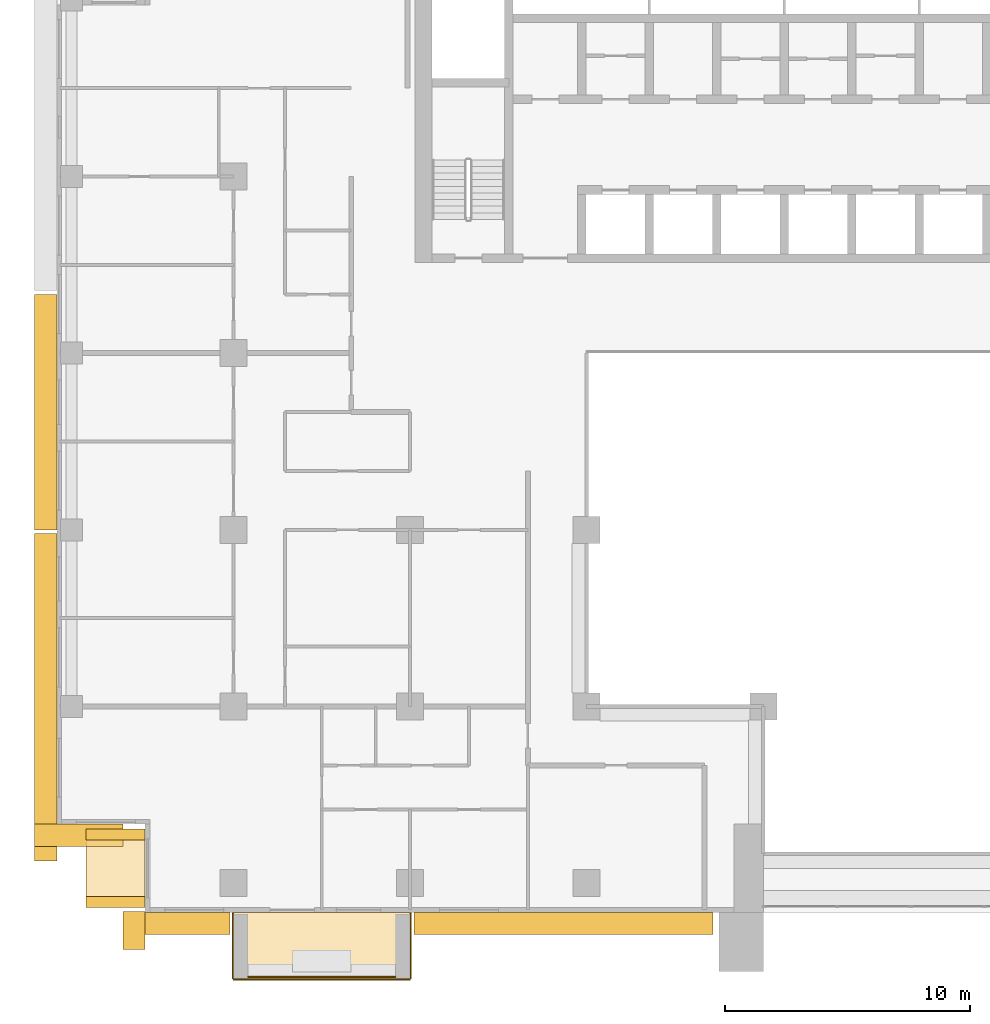
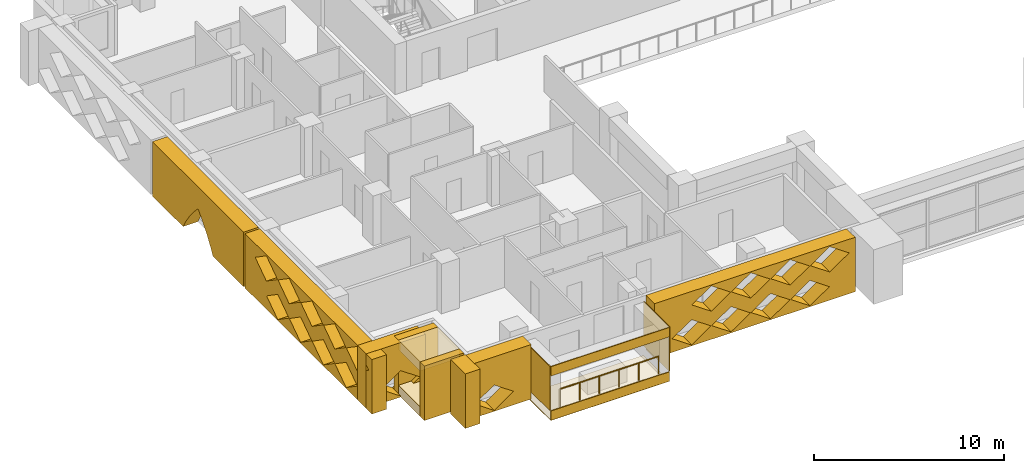
# One storey, part 13 of 19: 15 coverings, 1 railing.
"""IFC4 building model written with IfcOpenShell, lengths in metres."""

import ifcopenshell
import ifcopenshell.guid

model = None  # the IFC model being written
_history = None  # IfcOwnerHistory: only IFC2X3 demands one
_inside = {}  # id of a spatial element -> (the spatial element, [elements in it])
_under = {}  # id of a project, library or spatial element -> (it, [spatial elements below it])
_declared = {}  # id of a project -> (the project, [libraries it declares])
_typed = {}  # id of a type object -> (the type object, [elements of that type])
_made_of = {}  # id of a material, layer set ... -> (it, [elements and type objects made of it])


def new_model(schema):
    """Start an empty IFC model of exactly this schema.

    Asked for "IFC4X3", IfcOpenShell would pick the latest addendum, in which some entities
    have other attributes; the version numbers below select the first issue.
    IFC2X3 requires an IfcOwnerHistory on every rooted entity: one is made here for all.
    """
    global model, _history
    if schema == "IFC4X3":
        model = ifcopenshell.file(schema_version=(4, 3, 0, 0))
    else:
        model = ifcopenshell.file(schema=schema)
    _inside.clear()
    _under.clear()
    _declared.clear()
    _typed.clear()
    _made_of.clear()
    _history = None
    if model.schema == "IFC2X3":
        org = make("IfcOrganization", Name="unknown")
        user = make(
            "IfcPersonAndOrganization",
            ThePerson=make("IfcPerson", FamilyName="unknown"),
            TheOrganization=org,
        )
        app = make(
            "IfcApplication",
            ApplicationDeveloper=org,
            Version="unknown",
            ApplicationFullName="unknown",
            ApplicationIdentifier="unknown",
        )
        _history = make(
            "IfcOwnerHistory",
            OwningUser=user,
            OwningApplication=app,
            ChangeAction="ADDED",
            CreationDate=0,
        )
    return model


def make(cls, **values):
    """One entity of the class cls with the attributes given. An attribute that is None is left unset."""
    return model.create_entity(
        cls, **{name: value for name, value in values.items() if value is not None}
    )


def rooted(cls, **values):
    """An entity with a GlobalId (a new one), such as an element, a storey or a relation."""
    return make(cls, GlobalId=ifcopenshell.guid.new(), OwnerHistory=_history, **values)


def si_unit(unit_type, name, prefix=None):
    """IfcSIUnit, for example si_unit("LENGTHUNIT", "METRE", prefix="MILLI")."""
    return make("IfcSIUnit", UnitType=unit_type, Prefix=prefix, Name=name)


def assignment(units):
    """IfcUnitAssignment: the units of a project."""
    return None if units is None else make("IfcUnitAssignment", Units=units)


def point(xyz):
    """IfcCartesianPoint."""
    return None if xyz is None else make("IfcCartesianPoint", Coordinates=xyz)


def direction(xyz):
    """IfcDirection."""
    return None if xyz is None else make("IfcDirection", DirectionRatios=xyz)


def frame(location, z_axis=None, x_axis=None):
    """IfcAxis2Placement3D, a coordinate frame: its origin and axes. An axis left out is left unset."""
    return make(
        "IfcAxis2Placement3D",
        Location=point(location),
        Axis=direction(z_axis),
        RefDirection=direction(x_axis),
    )


def frame_2d(location, x_axis=None):
    """IfcAxis2Placement2D, a coordinate frame in the plane: its origin and x axis."""
    return make(
        "IfcAxis2Placement2D", Location=point(location), RefDirection=direction(x_axis)
    )


def origin():
    """The frame at (0, 0, 0) with its axes left unset."""
    return frame((0.0, 0.0, 0.0))


def origin_2d():
    """The frame at (0, 0) in the plane with its x axis left unset."""
    return frame_2d((0.0, 0.0))


def place(relative_to, where):
    """IfcLocalPlacement: puts the frame where relative to a parent placement (None: the world)."""
    return make(
        "IfcLocalPlacement", PlacementRelTo=relative_to, RelativePlacement=where
    )


def context(
    kind, dimensions, precision=None, world=None, true_north=None, identifier=None
):
    """IfcGeometricRepresentationContext, for example the 3D "Model" context."""
    return make(
        "IfcGeometricRepresentationContext",
        ContextIdentifier=identifier,
        ContextType=kind,
        CoordinateSpaceDimension=dimensions,
        Precision=precision,
        WorldCoordinateSystem=world,
        TrueNorth=true_north,
    )


def subcontext(parent, identifier, kind, view, scale=None):
    """IfcGeometricRepresentationSubContext, for example "Body" below "Model"."""
    return make(
        "IfcGeometricRepresentationSubContext",
        ContextIdentifier=identifier,
        ContextType=kind,
        ParentContext=parent,
        TargetScale=scale,
        TargetView=view,
    )


def project(units=None, contexts=None):
    """IfcProject with its units and contexts."""
    return rooted(
        "IfcProject",
        Name="project",
        RepresentationContexts=contexts,
        UnitsInContext=assignment(units),
    )


def spatial(cls, under=None, at=None, **own):
    """A site, building, storey or space (cls), placed at a placement, below another one or the project."""
    s = rooted(cls, ObjectPlacement=at, **own)
    if under is not None:
        _under.setdefault(under.id(), (under, []))[1].append(s)
    return s


def polyline(points):
    """IfcPolyline through the points."""
    return make("IfcPolyline", Points=[point(p) for p in points])


def profile(cls, at=None, kind="AREA", **sizes):
    """A parametric profile (cls). Its sizes go by their IFC names, for example OverallWidth=200.0."""
    return make(cls, ProfileType=kind, Position=at, **sizes)


def circle(**sizes):
    """IfcCircleProfileDef."""
    return profile("IfcCircleProfileDef", **sizes)


def outline(outer, holes=None, kind="AREA"):
    """IfcArbitraryClosedProfileDef: a profile drawn as a closed curve; with holes, ...WithVoids."""
    if holes is None:
        return make("IfcArbitraryClosedProfileDef", ProfileType=kind, OuterCurve=outer)
    return make(
        "IfcArbitraryProfileDefWithVoids",
        ProfileType=kind,
        OuterCurve=outer,
        InnerCurves=holes,
    )


def extrude(swept, where, along, depth):
    """IfcExtrudedAreaSolid: the profile swept, set in the frame where, extruded along a direction by depth."""
    return make(
        "IfcExtrudedAreaSolid",
        SweptArea=swept,
        Position=where,
        ExtrudedDirection=direction(along),
        Depth=depth,
    )


def shape(context_of_items, identifier, shape_type, items):
    """IfcShapeRepresentation: the items that make up one representation, for example the "Body"."""
    return make(
        "IfcShapeRepresentation",
        ContextOfItems=context_of_items,
        RepresentationIdentifier=identifier,
        RepresentationType=shape_type,
        Items=items,
    )


def material(Name=None, Category=None):
    """IfcMaterial."""
    return make("IfcMaterial", Name=Name, Category=Category)


def layer(
    of_material, thickness, ventilated=None, Name=None, Category=None, Priority=None
):
    """IfcMaterialLayer: one layer of a wall or slab, of a material (None: an air gap)."""
    return make(
        "IfcMaterialLayer",
        Material=of_material,
        LayerThickness=thickness,
        IsVentilated=ventilated,
        Name=Name,
        Category=Category,
        Priority=Priority,
    )


def layer_set(layers, Name=None):
    """IfcMaterialLayerSet."""
    return make("IfcMaterialLayerSet", MaterialLayers=layers, LayerSetName=Name)


def made_of(thing, what):
    """Note that an element or type object is made of a material, layer set ...; save() writes the relation."""
    if what is not None:
        _made_of.setdefault(what.id(), (what, []))[1].append(thing)
    return thing


def type_object(cls, material=None, **own):
    """A type object (cls), such as IfcWallType, which elements share."""
    return made_of(rooted(cls, **own), material)


def element(
    cls,
    number,
    at=None,
    inside=None,
    cuts=None,
    type_object=None,
    material=None,
    context=None,
    identifier="Body",
    shape_type=None,
    held_by="IfcProductDefinitionShape",
    body=None,
    shapes=None,
    **own,
):
    """One element of the class cls, such as IfcWall. Its Tag is "e" and its number.

    at: its placement. inside: the storey or other place that contains it. cuts: it is an
    opening in that element (IfcRelVoidsElement). A single representation is given by context,
    identifier, shape_type and body (its items); several are given by shapes. held_by: the class
    of the entity that holds the representations. save() writes the other relations.
    """
    e = rooted(cls, Tag="e%d" % number, ObjectPlacement=at, **own)
    if body is not None:
        shapes = [shape(context, identifier, shape_type, body)]
    if shapes is not None:
        e.Representation = make(held_by, Representations=shapes)
    if inside is not None:
        _inside.setdefault(inside.id(), (inside, []))[1].append(e)
    if cuts is not None:
        rooted(
            "IfcRelVoidsElement", RelatingBuildingElement=cuts, RelatedOpeningElement=e
        )
    if type_object is not None:
        _typed.setdefault(type_object.id(), (type_object, []))[1].append(e)
    return made_of(e, material)


def aggregate(whole, parts):
    """IfcRelAggregates: a whole, such as a stair, and the parts it consists of."""
    return rooted("IfcRelAggregates", RelatingObject=whole, RelatedObjects=parts)


def save(model, path):
    """Write the relations noted so far, then the file.

    IfcRelAggregates (storeys below a building ...), IfcRelContainedInSpatialStructure (elements
    in a storey), IfcRelDefinesByType, IfcRelAssociatesMaterial and IfcRelDeclares: one each for
    every whole, place, type object, material and project.
    """
    for whole, parts in _under.values():
        aggregate(whole, parts)
    for where, things in _inside.values():
        rooted(
            "IfcRelContainedInSpatialStructure",
            RelatedElements=things,
            RelatingStructure=where,
        )
    for kind, things in _typed.values():
        rooted("IfcRelDefinesByType", RelatedObjects=things, RelatingType=kind)
    for what, things in _made_of.values():
        rooted("IfcRelAssociatesMaterial", RelatedObjects=things, RelatingMaterial=what)
    for by, libraries in _declared.values():
        rooted("IfcRelDeclares", RelatingContext=by, RelatedDefinitions=libraries)
    model.write(path)


model = new_model("IFC4")

# Units and contexts
model_context = context("Model", 3, precision=1e-05, world=origin(), true_north=direction((0.0, 1.0)))
body_context = subcontext(model_context, "Body", "Model", "MODEL_VIEW")
ifc_project = project(units=[si_unit("LENGTHUNIT", "METRE"), si_unit("AREAUNIT", "SQUARE_METRE"), si_unit("VOLUMEUNIT", "CUBIC_METRE"), si_unit("PLANEANGLEUNIT", "RADIAN"), si_unit("MASSUNIT", "GRAM", prefix="KILO")], contexts=[model_context])

# Site, building, storey
site_placement = place(None, origin())
site = spatial("IfcSite", under=ifc_project, at=site_placement, CompositionType="ELEMENT")
building_placement = place(site_placement, origin())
building = spatial("IfcBuilding", under=site, at=building_placement, Name="Saffron Iwan Residences", CompositionType="ELEMENT")
storey_placement = place(building_placement, frame((0.0, 0.0, 116.5)))
storey = spatial("IfcBuildingStorey", under=building, at=storey_placement, Name="L30", CompositionType="ELEMENT", Elevation=116.5)

# Railing
ifc_material_1 = material(Name="Stainless steel 316", Category="steel")
railing_type = type_object("IfcRailingType", Name="BALCONY GUARD 1150", PredefinedType="GUARDRAIL", material=ifc_material_1)
railing_placement = place(storey_placement, frame((22.199951171875, 36.97509765625, 0.0)))
element("IfcRailing", 1, at=railing_placement, inside=storey, type_object=railing_type, Name="Balcony guard L30 11-0", PredefinedType="GUARDRAIL", context=body_context, shape_type="SweptSolid", body=[
    extrude(circle(Radius=0.02392578125, at=origin_2d()), frame((0.0, 0.0, 1.1259765625), z_axis=(1.0, 0.0, 0.0), x_axis=(0.0, 1.0, 0.0)), (0.0, 0.0, 1.0), 6.0),
    extrude(circle(Radius=0.02099609375, at=origin_2d()), origin(), (0.0, 0.0, 1.0), 1.101806640625),
    extrude(circle(Radius=0.02099609375, at=origin_2d()), frame((1.199951171875, 0.0, 0.0)), (0.0, 0.0, 1.0), 1.101806640625),
    extrude(circle(Radius=0.02099609375, at=origin_2d()), frame((2.39990234375, 0.0, 0.0)), (0.0, 0.0, 1.0), 1.101806640625),
    extrude(circle(Radius=0.02099609375, at=origin_2d()), frame((3.60009765625, 0.0, 0.0)), (0.0, 0.0, 1.0), 1.101806640625),
    extrude(circle(Radius=0.02099609375, at=origin_2d()), frame((4.800048828125, 0.0, 0.0)), (0.0, 0.0, 1.0), 1.101806640625),
    extrude(circle(Radius=0.02099609375, at=origin_2d()), frame((6.0, 0.0, 0.0)), (0.0, 0.0, 1.0), 1.101806640625),
])

# Coverings
ifc_material_2 = material(Name="Precast concrete C40/50 white painted", Category="concrete")
ifc_layer = layer(ifc_material_2, 0.050048828125)
ifc_layer_set = layer_set([ifc_layer], Name="Precast concrete C40/50 white painted")
covering_type_1 = type_object("IfcCoveringType", Name="FRAME SKIN PRECAST WHITE 50", PredefinedType="CLADDING", material=ifc_layer_set)
for number, where, name in (
    (2, (0.0, 0.0, -0.60009765625), "Frame skin slab edge L30 11-0"),
    (3, (0.0, 0.0, 2.25), "Frame skin fascia L30 11-0"),
):
    element("IfcCovering", number, at=place(storey_placement, frame(where)), inside=storey, type_object=covering_type_1, Name=name, PredefinedType="CLADDING", context=body_context, shape_type="SweptSolid", body=[
        extrude(outline(polyline([(21.60009765625, 36.85009765625), (28.800048828125, 36.85009765625), (28.800048828125, 36.89990234375), (21.60009765625, 36.89990234375), (21.60009765625, 36.85009765625)])), origin(), (0.0, 0.0, 1.0), 0.60009765625),
    ])
covering_1_placement = place(storey_placement, frame((0.0, 0.0, -0.64990234375)))
element("IfcCovering", 4, at=covering_1_placement, inside=storey, type_object=covering_type_1, Name="Frame skin soffit L30 11-0", PredefinedType="CLADDING", context=body_context, shape_type="SweptSolid", body=[
    extrude(outline(polyline([(21.60009765625, 36.89990234375), (28.800048828125, 36.89990234375), (28.800048828125, 39.60009765625), (21.60009765625, 39.60009765625), (21.60009765625, 36.89990234375)])), origin(), (0.0, 0.0, 1.0), 0.0498046875),
])
covering_2_placement = place(storey_placement, origin())
element("IfcCovering", 5, at=covering_2_placement, inside=storey, type_object=covering_type_1, Name="Frame skin fin L30 11-0a", PredefinedType="CLADDING", context=body_context, shape_type="SweptSolid", body=[
    extrude(outline(polyline([(21.550048828125, 36.89990234375), (21.60009765625, 36.89990234375), (21.60009765625, 39.60009765625), (21.550048828125, 39.60009765625), (21.550048828125, 36.89990234375)])), origin(), (0.0, 0.0, 1.0), 2.85009765625),
])
covering_3_placement = place(storey_placement, origin())
element("IfcCovering", 6, at=covering_3_placement, inside=storey, type_object=covering_type_1, Name="Frame skin fin L30 11-0b", PredefinedType="CLADDING", context=body_context, shape_type="SweptSolid", body=[
    extrude(outline(polyline([(28.800048828125, 36.89990234375), (28.85009765625, 36.89990234375), (28.85009765625, 39.60009765625), (28.800048828125, 39.60009765625), (28.800048828125, 36.89990234375)])), origin(), (0.0, 0.0, 1.0), 2.85009765625),
])
covering_type_2 = type_object("IfcCoveringType", Name="IWAN PANEL PRECAST WHITE", PredefinedType="CLADDING", material=ifc_material_2)
covering_4_placement = place(storey_placement, frame((14.39990234375, 64.800048828125, -0.300048828125), z_axis=(-1.0, 0.0, 0.0), x_axis=(0.0, -1.0, 0.0)))
element("IfcCovering", 7, at=covering_4_placement, inside=storey, type_object=covering_type_2, Name="Iwan panel L30 F8.0", PredefinedType="CLADDING", context=body_context, shape_type="SweptSolid", body=[
    extrude(outline(polyline([(0.0, 0.0), (0.0, 3.5), (9.60009765625, 3.5), (9.60009765625, 0.0), (6.369384765625, 0.0), (6.141357421875, 0.40576171875), (5.7392578125, 1.005126953125), (5.291259765625, 1.571044921875), (4.800048828125, 2.10009765625), (4.308837890625, 1.571044921875), (3.86083984375, 1.005126953125), (3.45849609375, 0.40576171875), (3.230712890625, 0.0), (0.0, 0.0)])), origin(), (0.0, 0.0, 1.0), 0.89990234375),
])
ifc_material_3 = material(Name="Precast concrete C40/50", Category="concrete")
covering_type_3 = type_object("IfcCoveringType", Name="OUTER SKIN LATTICE SCREEN", PredefinedType="CLADDING", material=ifc_material_3)
covering_5_placement = place(storey_placement, frame((14.39990234375, 55.050048828125, -0.300048828125), z_axis=(-1.0, 0.0, 0.0), x_axis=(0.0, -1.0, 0.0)))
element("IfcCovering", 8, at=covering_5_placement, inside=storey, type_object=covering_type_3, Name="OUTER SKIN lattice screen L30 F8.1", PredefinedType="CLADDING", context=body_context, shape_type="SweptSolid", body=[
    extrude(outline(polyline([(0.0, 0.0), (13.35009765625, 0.0), (13.35009765625, 3.5), (0.0, 3.5), (0.0, 0.0)]), holes=[polyline([(2.27001953125, 0.875), (3.449951171875, 0.06005859375), (4.6298828125, 0.875), (3.449951171875, 1.68994140625), (2.27001953125, 0.875)]), polyline([(4.669921875, 0.875), (5.85009765625, 0.06005859375), (7.030029296875, 0.875), (5.85009765625, 1.68994140625), (4.669921875, 0.875)]), polyline([(7.070068359375, 0.875), (8.25, 0.06005859375), (9.429931640625, 0.875), (8.25, 1.68994140625), (7.070068359375, 0.875)]), polyline([(9.469970703125, 0.875), (10.64990234375, 0.06005859375), (11.830078125, 0.875), (10.64990234375, 1.68994140625), (9.469970703125, 0.875)]), polyline([(1.070068359375, 2.625), (2.25, 1.81005859375), (3.429931640625, 2.625), (2.25, 3.43994140625), (1.070068359375, 2.625)]), polyline([(3.469970703125, 2.625), (4.64990234375, 1.81005859375), (5.830078125, 2.625), (4.64990234375, 3.43994140625), (3.469970703125, 2.625)]), polyline([(5.8701171875, 2.625), (7.050048828125, 1.81005859375), (8.22998046875, 2.625), (7.050048828125, 3.43994140625), (5.8701171875, 2.625)]), polyline([(8.27001953125, 2.625), (9.449951171875, 1.81005859375), (10.6298828125, 2.625), (9.449951171875, 3.43994140625), (8.27001953125, 2.625)]), polyline([(10.669921875, 2.625), (11.85009765625, 1.81005859375), (13.030029296875, 2.625), (11.85009765625, 3.43994140625), (10.669921875, 2.625)])]), origin(), (0.0, 0.0, 1.0), 0.89990234375),
])
covering_6_placement = place(storey_placement, frame((13.5, 43.199951171875, -0.300048828125), z_axis=(0.0, -1.0, 0.0), x_axis=(1.0, 0.0, 0.0)))
element("IfcCovering", 9, at=covering_6_placement, inside=storey, type_object=covering_type_3, Name="OUTER SKIN lattice screen L30 F9.0", PredefinedType="CLADDING", context=body_context, shape_type="SweptSolid", body=[
    extrude(outline(polyline([(0.0, 0.0), (3.60009765625, 0.0), (3.60009765625, 3.5), (0.0, 3.5), (0.0, 0.0)]), holes=[polyline([(0.919921875, 0.875), (2.10009765625, 0.06005859375), (3.280029296875, 0.875), (2.10009765625, 1.68994140625), (0.919921875, 0.875)])]), origin(), (0.0, 0.0, 1.0), 0.89990234375),
])
covering_7_placement = place(storey_placement, frame((18.0, 39.64990234375, -0.300048828125), z_axis=(-1.0, 0.0, 0.0), x_axis=(0.0, -1.0, 0.0)))
element("IfcCovering", 10, at=covering_7_placement, inside=storey, type_object=covering_type_3, Name="OUTER SKIN lattice screen L30 F10.0", PredefinedType="CLADDING", context=body_context, shape_type="SweptSolid", body=[
    extrude(outline(polyline([(0.0, 0.0), (1.550048828125, 0.0), (1.550048828125, 3.5), (0.0, 3.5), (0.0, 0.0)])), origin(), (0.0, 0.0, 1.0), 0.89990234375),
])
covering_8_placement = place(storey_placement, frame((17.10009765625, 39.60009765625, -0.300048828125), z_axis=(0.0, -1.0, 0.0), x_axis=(1.0, 0.0, 0.0)))
element("IfcCovering", 11, at=covering_8_placement, inside=storey, type_object=covering_type_3, Name="OUTER SKIN lattice screen L30 F11.0", PredefinedType="CLADDING", context=body_context, shape_type="SweptSolid", body=[
    extrude(outline(polyline([(0.0, 0.0), (4.35009765625, 0.0), (4.35009765625, 3.5), (0.0, 3.5), (0.0, 0.0)]), holes=[polyline([(0.919921875, 0.875), (2.10009765625, 0.06005859375), (3.280029296875, 0.875), (2.10009765625, 1.68994140625), (0.919921875, 0.875)])]), origin(), (0.0, 0.0, 1.0), 0.900146484375),
])
covering_9_placement = place(storey_placement, frame((28.949951171875, 39.60009765625, -0.300048828125), z_axis=(0.0, -1.0, 0.0), x_axis=(1.0, 0.0, 0.0)))
element("IfcCovering", 12, at=covering_9_placement, inside=storey, type_object=covering_type_3, Name="OUTER SKIN lattice screen L30 F11.1", PredefinedType="CLADDING", context=body_context, shape_type="SweptSolid", body=[
    extrude(outline(polyline([(0.0, 0.0), (12.199951171875, 0.0), (12.199951171875, 3.5), (0.0, 3.5), (0.0, 0.0)]), holes=[polyline([(1.070068359375, 0.875), (2.25, 0.06005859375), (3.429931640625, 0.875), (2.25, 1.68994140625), (1.070068359375, 0.875)]), polyline([(3.469970703125, 0.875), (4.64990234375, 0.06005859375), (5.830078125, 0.875), (4.64990234375, 1.68994140625), (3.469970703125, 0.875)]), polyline([(5.8701171875, 0.875), (7.050048828125, 0.06005859375), (8.22998046875, 0.875), (7.050048828125, 1.68994140625), (5.8701171875, 0.875)]), polyline([(8.27001953125, 0.875), (9.449951171875, 0.06005859375), (10.6298828125, 0.875), (9.449951171875, 1.68994140625), (8.27001953125, 0.875)]), polyline([(2.27001953125, 2.625), (3.449951171875, 1.81005859375), (4.6298828125, 2.625), (3.449951171875, 3.43994140625), (2.27001953125, 2.625)]), polyline([(4.669921875, 2.625), (5.85009765625, 1.81005859375), (7.030029296875, 2.625), (5.85009765625, 3.43994140625), (4.669921875, 2.625)]), polyline([(7.070068359375, 2.625), (8.25, 1.81005859375), (9.429931640625, 2.625), (8.25, 3.43994140625), (7.070068359375, 2.625)]), polyline([(9.469970703125, 2.625), (10.64990234375, 1.81005859375), (11.830078125, 2.625), (10.64990234375, 3.43994140625), (9.469970703125, 2.625)])]), origin(), (0.0, 0.0, 1.0), 0.900146484375),
])
covering_type_4 = type_object("IfcCoveringType", Name="WHITE SUN FRAME PRECAST", PredefinedType="CLADDING", material=ifc_material_2)
for number, where, z_axis, x_axis, name in (
    (13, (18.0, 43.0, -0.300048828125), (-1.0, 0.0, 0.0), (0.0, -1.0, 0.0), "Sun frame L30 F10 0.2a"),
    (14, (18.0, 40.25, -0.300048828125), (-1.0, 0.0, 0.0), (0.0, -1.0, 0.0), "Sun frame L30 F10 0.2b"),
):
    element("IfcCovering", number, at=place(storey_placement, frame(where, z_axis=z_axis, x_axis=x_axis)), inside=storey, type_object=covering_type_4, Name=name, PredefinedType="CLADDING", context=body_context, shape_type="SweptSolid", body=[
        extrude(outline(polyline([(0.0, 0.0), (0.449951171875, 0.0), (0.449951171875, 3.5), (0.0, 3.5), (0.0, 0.0)])), origin(), (0.0, 0.0, 1.0), 2.39990234375),
    ])
for number, where, z_axis, x_axis, name in (
    (15, (18.0, 42.550048828125, 2.60009765625), (-1.0, 0.0, 0.0), (0.0, -1.0, 0.0), "Sun frame L30 F10 0.2h"),
    (16, (18.0, 42.550048828125, -0.300048828125), (-1.0, 0.0, 0.0), (0.0, -1.0, 0.0), "Sun frame L30 F10 0.2s"),
):
    element("IfcCovering", number, at=place(storey_placement, frame(where, z_axis=z_axis, x_axis=x_axis)), inside=storey, type_object=covering_type_4, Name=name, PredefinedType="CLADDING", context=body_context, shape_type="SweptSolid", body=[
        extrude(outline(polyline([(0.0, 0.0), (2.300048828125, 0.0), (2.300048828125, 0.60009765625), (0.0, 0.60009765625), (0.0, 0.0)])), origin(), (0.0, 0.0, 1.0), 2.39990234375),
    ])

save(model, "model.ifc")
